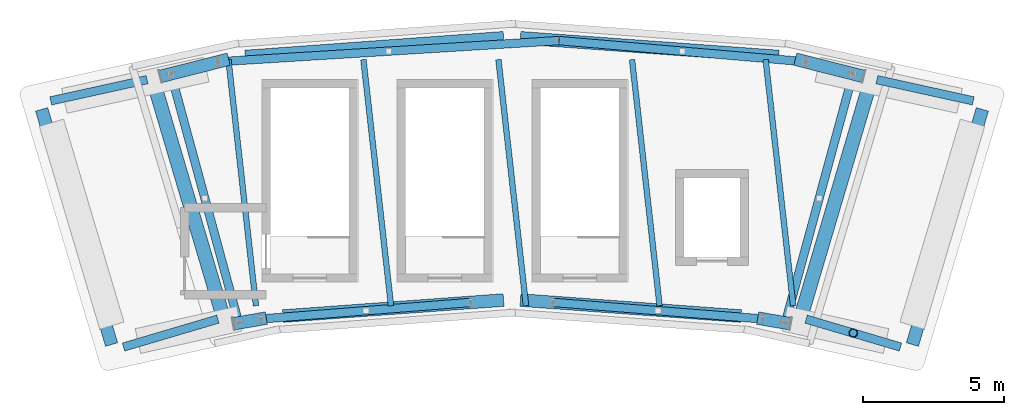
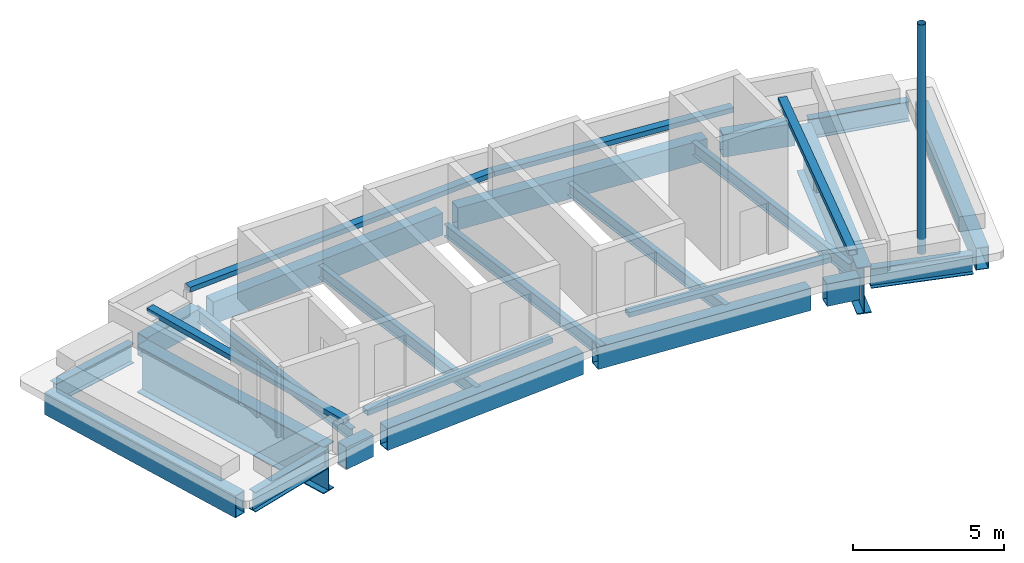
# One storey, part 1 of 6: 21 beams, 7 members.
"""IFC4 building model written with IfcOpenShell, lengths in metres."""

from ifc_helpers import new_model, si_unit, direction, frame, origin, origin_2d, place, context, subcontext, project, spatial, hollow_rectangle, hollow_circle, i_section, extrude, material, material_profile, profile_set, type_object, element, save


model = new_model("IFC4")

# Units and contexts
model_context = context("Model", 3, precision=1e-05, world=origin(), true_north=direction((0.0, 1.0)))
body_context = subcontext(model_context, "Body", "Model", "MODEL_VIEW")
ifc_project = project(units=[si_unit("LENGTHUNIT", "METRE"), si_unit("AREAUNIT", "SQUARE_METRE"), si_unit("VOLUMEUNIT", "CUBIC_METRE"), si_unit("PLANEANGLEUNIT", "RADIAN"), si_unit("MASSUNIT", "GRAM", prefix="KILO")], contexts=[model_context])

# Site, building, storey
site_placement = place(None, origin())
site = spatial("IfcSite", under=ifc_project, at=site_placement, CompositionType="ELEMENT")
building_placement = place(site_placement, origin())
building = spatial("IfcBuilding", under=site, at=building_placement, Name="Tuul Gate Civic Tower", CompositionType="ELEMENT")
storey_placement = place(building_placement, frame((0.0, 0.0, 384.10009765625)))
storey = spatial("IfcBuildingStorey", under=building, at=storey_placement, Name="Roof", CompositionType="ELEMENT", Elevation=384.10009765625)

# Members
ifc_material_1 = material(Name="Stainless steel", Category="steel")
ifc_material_profile_1 = material_profile(ifc_material_1, hollow_rectangle(XDim=0.300048828125, YDim=0.199951171875, WallThickness=0.010009765625, at=origin_2d()), Name="Cleaning unit rail")
ifc_profile_set_1 = profile_set([ifc_material_profile_1], Name="Stainless steel")
member_type_1 = type_object("IfcMemberType", Name="Cleaning unit rail", PredefinedType="USERDEFINED", material=ifc_profile_set_1)
member_1_placement = place(storey_placement, frame((-9.93310546875, 6.51025390625, 0.599853515625), z_axis=(0.262570367482, -0.964912846904, 0.0), x_axis=(0.964912846904, 0.262570367482, 0.0)))
element("IfcMember", 1, at=member_1_placement, inside=storey, type_object=member_type_1, Name="Cleaning unit rail", ObjectType="RAIL", PredefinedType="USERDEFINED", context=body_context, shape_type="SweptSolid", body=[
    extrude(hollow_rectangle(XDim=0.300048828125, YDim=0.199951171875, WallThickness=0.010009765625, at=origin_2d()), origin(), (0.0, 0.0, 1.0), 9.17724609375),
])
for number, where, z_axis, x_axis, name in (
    (2, (-6.715576171875, -2.205078125, 0.599853515625), (0.996904298269, 0.078624551462, 0.0), (-0.078624551462, 0.996904298269, 0.0), "Cleaning unit rail"),
    (3, (3.667236328125, -1.618896484375, 0.599853515625), (0.996904298269, -0.078624551462, 0.0), (0.078624551462, 0.996904298269, 0.0), "Cleaning unit rail"),
):
    element("IfcMember", number, at=place(storey_placement, frame(where, z_axis=z_axis, x_axis=x_axis)), inside=storey, type_object=member_type_1, Name=name, ObjectType="RAIL", PredefinedType="USERDEFINED", context=body_context, shape_type="SweptSolid", body=[
        extrude(hollow_rectangle(XDim=0.300048828125, YDim=0.199951171875, WallThickness=0.010009765625, at=origin_2d()), origin(), (0.0, 0.0, 1.0), 7.45556640625),
    ])
member_2_placement = place(storey_placement, frame((11.9072265625, -2.344970703125, 0.599853515625), z_axis=(0.262595136009, 0.964906106595, 0.0), x_axis=(-0.964906106595, 0.262595136009, 0.0)))
element("IfcMember", 4, at=member_2_placement, inside=storey, type_object=member_type_1, Name="Cleaning unit rail", ObjectType="RAIL", PredefinedType="USERDEFINED", context=body_context, shape_type="SweptSolid", body=[
    extrude(hollow_rectangle(XDim=0.300048828125, YDim=0.199951171875, WallThickness=0.010009765625, at=origin_2d()), origin(), (0.0, 0.0, 1.0), 9.17724609375),
])
member_3_placement = place(storey_placement, frame((12.6279296875, 6.937744140625, 0.599853515625), z_axis=(-0.996328126894, 0.085616958364, 0.0), x_axis=(-0.085616958364, -0.996328126894, 0.0)))
element("IfcMember", 5, at=member_3_placement, inside=storey, type_object=member_type_1, Name="Cleaning unit rail", ObjectType="RAIL", PredefinedType="USERDEFINED", context=body_context, shape_type="SweptSolid", body=[
    extrude(hollow_rectangle(XDim=0.300048828125, YDim=0.199951171875, WallThickness=0.010009765625, at=origin_2d()), origin(), (0.0, 0.0, 1.0), 8.791259765625),
])
member_4_placement = place(storey_placement, frame((3.868896484375, 7.6904296875, 0.599853515625), z_axis=(-0.998074900997, -0.062020093517, 0.0), x_axis=(0.062020093517, -0.998074900997, 0.0)))
element("IfcMember", 6, at=member_4_placement, inside=storey, type_object=member_type_1, Name="Cleaning unit rail", ObjectType="RAIL", PredefinedType="USERDEFINED", context=body_context, shape_type="SweptSolid", body=[
    extrude(hollow_rectangle(XDim=0.300048828125, YDim=0.199951171875, WallThickness=0.010009765625, at=origin_2d()), origin(), (0.0, 0.0, 1.0), 12.13623046875),
])
ifc_material_2 = material(Name="Stainless steel", Category="steel")
ifc_material_profile_2 = material_profile(ifc_material_2, hollow_circle(Radius=0.14990234375, WallThickness=0.011962890625, at=origin_2d()), Name="Lightning mast")
ifc_profile_set_2 = profile_set([ifc_material_profile_2], Name="Stainless steel")
member_type_2 = type_object("IfcMemberType", Name="Lightning mast", PredefinedType="USERDEFINED", material=ifc_profile_set_2)
member_5_placement = place(storey_placement, frame((14.325927734375, -2.7080078125, 0.0), z_axis=(0.0, 0.0, 1.0), x_axis=(1.0, 0.0, 0.0)))
element("IfcMember", 7, at=member_5_placement, inside=storey, type_object=member_type_2, Name="Lightning mast", ObjectType="MAST", PredefinedType="USERDEFINED", context=body_context, shape_type="SweptSolid", body=[
    extrude(hollow_circle(Radius=0.14990234375, WallThickness=0.011962890625, at=origin_2d()), origin(), (0.0, 0.0, 1.0), 9.2998046875),
])

# Beams
ifc_material_3 = material(Name="Steel S355", Category="steel")
ifc_material_profile_3 = material_profile(ifc_material_3, i_section(OverallWidth=0.199951171875, OverallDepth=0.5, WebThickness=0.010009765625, FlangeThickness=0.01611328125, at=origin_2d()), Name="PG500x200x10x16")
ifc_profile_set_3 = profile_set([ifc_material_profile_3], Name="Steel S355")
beam_type_1 = type_object("IfcBeamType", Name="STR-FLOOR BEAM-PG500x200x10x16", PredefinedType="BEAM", material=ifc_profile_set_3)
for number, where, z_axis, x_axis, name in (
    (8, (-6.90966796875, -1.7353515625, -0.550048828125), (-0.111362558591, 0.993779845109, 0.0), (-0.993779845109, -0.111362558591, 0.0), "Floor beam"),
    (9, (-2.109619140625, -1.7353515625, -0.550048828125), (-0.111362558591, 0.993779845109, 0.0), (-0.993779845109, -0.111362558591, 0.0), "Floor beam"),
    (10, (2.6904296875, -1.7353515625, -0.550048828125), (-0.111362558591, 0.993779845109, 0.0), (-0.993779845109, -0.111362558591, 0.0), "Floor beam"),
    (11, (7.4404296875, -1.7353515625, -0.550048828125), (-0.111362558591, 0.993779845109, 0.0), (-0.993779845109, -0.111362558591, 0.0), "Floor beam"),
    (12, (12.1904296875, -1.7353515625, -0.550048828125), (-0.111362558591, 0.993779845109, 0.0), (-0.993779845109, -0.111362558591, 0.0), "Floor beam"),
):
    element("IfcBeam", number, at=place(storey_placement, frame(where, z_axis=z_axis, x_axis=x_axis)), inside=storey, type_object=beam_type_1, Name=name, PredefinedType="BEAM", context=body_context, shape_type="SweptSolid", body=[
        extrude(i_section(OverallWidth=0.199951171875, OverallDepth=0.5, WebThickness=0.010009765625, FlangeThickness=0.01611328125, at=origin_2d()), origin(), (0.0, 0.0, 1.0), 8.806396484375),
    ])
ifc_material_4 = material(Name="Steel S355", Category="steel")
ifc_material_profile_4 = material_profile(ifc_material_4, i_section(OverallWidth=0.300048828125, OverallDepth=0.800048828125, WebThickness=0.013916015625, FlangeThickness=0.02490234375, at=origin_2d()), Name="PG800x300x14x25")
ifc_profile_set_4 = profile_set([ifc_material_profile_4], Name="Steel S355")
beam_type_2 = type_object("IfcBeamType", Name="STR-FLOOR BEAM-PG800x300x14x25", PredefinedType="BEAM", material=ifc_profile_set_4)
beam_1_placement = place(storey_placement, frame((18.593017578125, 5.546630859375, -0.7001953125), z_axis=(-0.976568507022, 0.215206763585, 0.0), x_axis=(-0.215206763585, -0.976568507022, 0.0)))
element("IfcBeam", 13, at=beam_1_placement, inside=storey, type_object=beam_type_2, Name="Terrace beam", PredefinedType="BEAM", context=body_context, shape_type="SweptSolid", body=[
    extrude(i_section(OverallWidth=0.300048828125, OverallDepth=0.800048828125, WebThickness=0.013916015625, FlangeThickness=0.02490234375, at=origin_2d()), origin(), (0.0, 0.0, 1.0), 3.510009765625),
])
beam_2_placement = place(storey_placement, frame((16.00439453125, -3.2041015625, -0.7001953125), z_axis=(-0.959002629943, 0.283397169646, 0.0), x_axis=(-0.283397169646, -0.959002629943, 0.0)))
element("IfcBeam", 14, at=beam_2_placement, inside=storey, type_object=beam_type_2, Name="Terrace beam", PredefinedType="BEAM", context=body_context, shape_type="SweptSolid", body=[
    extrude(i_section(OverallWidth=0.300048828125, OverallDepth=0.800048828125, WebThickness=0.013916015625, FlangeThickness=0.02490234375, at=origin_2d()), origin(), (0.0, 0.0, 1.0), 3.500244140625),
])
beam_3_placement = place(storey_placement, frame((-14.208984375, 5.546630859375, -0.7001953125), z_axis=(0.976568507022, 0.215206763585, 0.0), x_axis=(-0.215206763585, 0.976568507022, 0.0)))
element("IfcBeam", 15, at=beam_3_placement, inside=storey, type_object=beam_type_2, Name="Terrace beam", PredefinedType="BEAM", context=body_context, shape_type="SweptSolid", body=[
    extrude(i_section(OverallWidth=0.300048828125, OverallDepth=0.800048828125, WebThickness=0.013916015625, FlangeThickness=0.02490234375, at=origin_2d()), origin(), (0.0, 0.0, 1.0), 3.510009765625),
])
beam_4_placement = place(storey_placement, frame((-11.620361328125, -3.2041015625, -0.7001953125), z_axis=(0.959002629943, 0.283397169646, 0.0), x_axis=(-0.283397169646, 0.959002629943, 0.0)))
element("IfcBeam", 16, at=beam_4_placement, inside=storey, type_object=beam_type_2, Name="Terrace beam", PredefinedType="BEAM", context=body_context, shape_type="SweptSolid", body=[
    extrude(i_section(OverallWidth=0.300048828125, OverallDepth=0.800048828125, WebThickness=0.013916015625, FlangeThickness=0.02490234375, at=origin_2d()), origin(), (0.0, 0.0, 1.0), 3.500244140625),
])
ifc_material_5 = material(Name="Steel S355", Category="steel")
ifc_material_profile_5 = material_profile(ifc_material_5, i_section(OverallWidth=0.5, OverallDepth=1.89990234375, WebThickness=0.02490234375, FlangeThickness=0.0400390625, at=origin_2d()), Name="PG1900x500x25x40")
ifc_profile_set_5 = profile_set([ifc_material_profile_5], Name="Steel S355")
beam_type_3 = type_object("IfcBeamType", Name="STR-RING BEAM-PG1900x500x25x40", PredefinedType="BEAM", material=ifc_profile_set_5)
for number, where, z_axis, x_axis, name in (
    (17, (-10.5009765625, 6.057373046875, -1.25), (0.283598104571, -0.95894322829, 0.0), (0.95894322829, 0.283598104571, 0.0), "Spandrel beam"),
    (18, (12.461181640625, -2.138427734375, -1.25), (0.283598104571, 0.95894322829, 0.0), (-0.95894322829, 0.283598104571, 0.0), "Spandrel beam"),
):
    element("IfcBeam", number, at=place(storey_placement, frame(where, z_axis=z_axis, x_axis=x_axis)), inside=storey, type_object=beam_type_3, Name=name, PredefinedType="BEAM", context=body_context, shape_type="SweptSolid", body=[
        extrude(i_section(OverallWidth=0.5, OverallDepth=1.89990234375, WebThickness=0.02490234375, FlangeThickness=0.0400390625, at=origin_2d()), origin(), (0.0, 0.0, 1.0), 8.546630859375),
    ])
ifc_material_6 = material(Name="Steel S355", Category="steel")
ifc_material_profile_6 = material_profile(ifc_material_6, hollow_rectangle(XDim=0.449951171875, YDim=0.89990234375, WallThickness=0.02490234375, at=origin_2d()), Name="BOX900x450x25")
ifc_profile_set_6 = profile_set([ifc_material_profile_6], Name="Steel S355")
beam_type_4 = type_object("IfcBeamType", Name="STR-SPANDREL BEAM-BOX900x450x25", PredefinedType="BEAM", material=ifc_profile_set_6)
beam_5_placement = place(storey_placement, frame((14.67919921875, 6.418701171875, -0.75), z_axis=(-0.969452102364, 0.245280698838, 0.0), x_axis=(-0.245280698838, -0.969452102364, 0.0)))
element("IfcBeam", 19, at=beam_5_placement, inside=storey, type_object=beam_type_4, Name="Spandrel beam", PredefinedType="BEAM", context=body_context, shape_type="SweptSolid", body=[
    extrude(hollow_rectangle(XDim=0.449951171875, YDim=0.89990234375, WallThickness=0.02490234375, at=origin_2d()), origin(), (0.0, 0.0, 1.0), 2.4892578125),
])
for number, where, z_axis, x_axis, name in (
    (20, (11.67578125, 7.124755859375, -0.75), (-0.997384962166, 0.072271967221, 0.0), (-0.072271967221, -0.997384962166, 0.0), "Spandrel beam"),
    (21, (1.892822265625, 7.790283203125, -0.75), (-0.997384962166, -0.072271967221, 0.0), (0.072271967221, -0.997384962166, 0.0), "Spandrel beam"),
):
    element("IfcBeam", number, at=place(storey_placement, frame(where, z_axis=z_axis, x_axis=x_axis)), inside=storey, type_object=beam_type_4, Name=name, PredefinedType="BEAM", context=body_context, shape_type="SweptSolid", body=[
        extrude(hollow_rectangle(XDim=0.449951171875, YDim=0.89990234375, WallThickness=0.02490234375, at=origin_2d()), origin(), (0.0, 0.0, 1.0), 9.208740234375),
    ])
beam_6_placement = place(storey_placement, frame((-7.8818359375, 7.029296875, -0.75), z_axis=(-0.969452102364, -0.245280698838, 0.0), x_axis=(0.245280698838, -0.969452102364, 0.0)))
element("IfcBeam", 22, at=beam_6_placement, inside=storey, type_object=beam_type_4, Name="Spandrel beam", PredefinedType="BEAM", context=body_context, shape_type="SweptSolid", body=[
    extrude(hollow_rectangle(XDim=0.449951171875, YDim=0.89990234375, WallThickness=0.02490234375, at=origin_2d()), origin(), (0.0, 0.0, 1.0), 2.4892578125),
])
beam_7_placement = place(storey_placement, frame((-7.6962890625, -2.374755859375, -0.75), z_axis=(0.985343091896, 0.170584264375, 0.0), x_axis=(-0.170584264375, 0.985343091896, 0.0)))
element("IfcBeam", 23, at=beam_7_placement, inside=storey, type_object=beam_type_4, Name="Spandrel beam", PredefinedType="BEAM", context=body_context, shape_type="SweptSolid", body=[
    extrude(hollow_rectangle(XDim=0.449951171875, YDim=0.89990234375, WallThickness=0.02490234375, at=origin_2d()), origin(), (0.0, 0.0, 1.0), 1.170654296875),
])
for number, where, z_axis, x_axis, name in (
    (24, (-5.94775390625, -2.102294921875, -0.75), (0.997380706293, 0.072330676162, 0.0), (-0.072330676162, 0.997380706293, 0.0), "Spandrel beam"),
    (25, (2.4912109375, -1.53369140625, -0.75), (0.997380706293, -0.072330676162, 0.0), (0.072330676162, 0.997380706293, 0.0), "Spandrel beam"),
):
    element("IfcBeam", number, at=place(storey_placement, frame(where, z_axis=z_axis, x_axis=x_axis)), inside=storey, type_object=beam_type_4, Name=name, PredefinedType="BEAM", context=body_context, shape_type="SweptSolid", body=[
        extrude(hollow_rectangle(XDim=0.449951171875, YDim=0.89990234375, WallThickness=0.02490234375, at=origin_2d()), origin(), (0.0, 0.0, 1.0), 7.861083984375),
    ])
beam_8_placement = place(storey_placement, frame((10.926513671875, -2.175048828125, -0.75), z_axis=(0.985349158278, -0.170549219524, 0.0), x_axis=(0.170549219524, 0.985349158278, 0.0)))
element("IfcBeam", 26, at=beam_8_placement, inside=storey, type_object=beam_type_4, Name="Spandrel beam", PredefinedType="BEAM", context=body_context, shape_type="SweptSolid", body=[
    extrude(hollow_rectangle(XDim=0.449951171875, YDim=0.89990234375, WallThickness=0.02490234375, at=origin_2d()), origin(), (0.0, 0.0, 1.0), 1.1708984375),
])
for number, where, z_axis, x_axis, name in (
    (27, (-14.531005859375, 5.243896484375, -0.75), (0.285251758133, -0.958452625059, 0.0), (0.958452625059, 0.285251758133, 0.0), "Terrace edge beam"),
    (28, (16.427001953125, -3.115966796875, -0.75), (0.285251758133, 0.958452625059, 0.0), (-0.958452625059, 0.285251758133, 0.0), "Terrace edge beam"),
):
    element("IfcBeam", number, at=place(storey_placement, frame(where, z_axis=z_axis, x_axis=x_axis)), inside=storey, type_object=beam_type_4, Name=name, PredefinedType="BEAM", context=body_context, shape_type="SweptSolid", body=[
        extrude(hollow_rectangle(XDim=0.449951171875, YDim=0.89990234375, WallThickness=0.02490234375, at=origin_2d()), origin(), (0.0, 0.0, 1.0), 8.72216796875),
    ])

save(model, "model.ifc")
